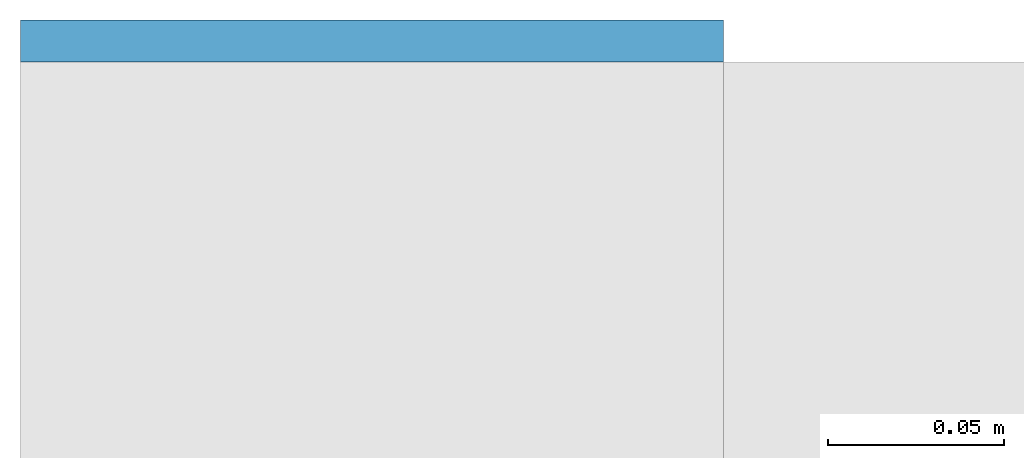
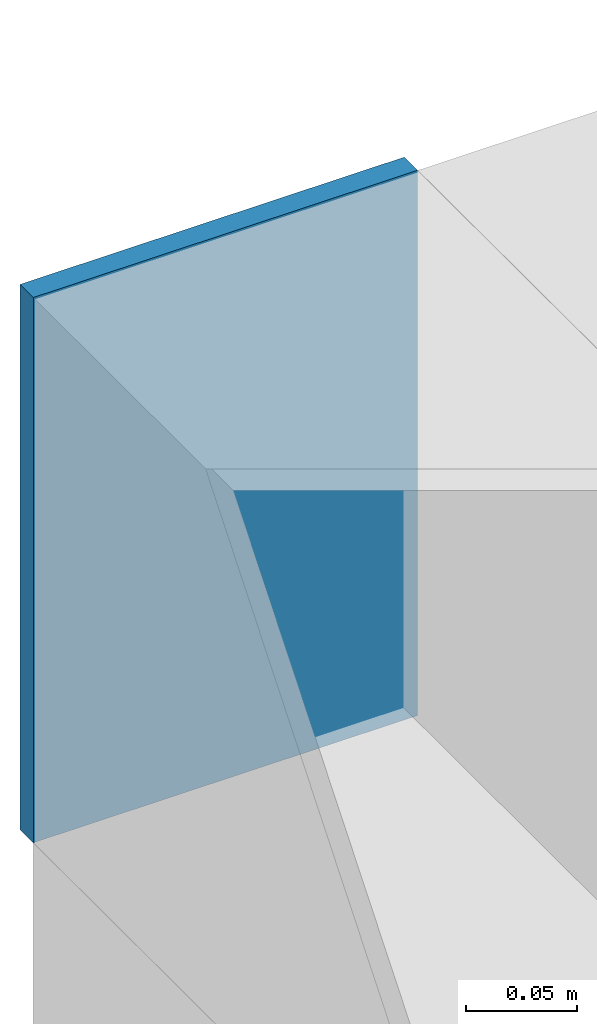
# One storey, part 229 of 646: 1 discrete accessory.
"""IFC4 building model written with IfcOpenShell, lengths in metres."""

from ifc_helpers import new_model, si_unit, direction, frame, origin, origin_2d, place, context, subcontext, project, spatial, rectangle, extrude, material, layer, layer_set, type_object, element, save


model = new_model("IFC4")

# Units and contexts
model_context = context("Model", 3, precision=1e-05, world=origin(), true_north=direction((0.0, 1.0)))
body_context = subcontext(model_context, "Body", "Model", "MODEL_VIEW")
ifc_project = project(units=[si_unit("LENGTHUNIT", "METRE"), si_unit("AREAUNIT", "SQUARE_METRE"), si_unit("VOLUMEUNIT", "CUBIC_METRE"), si_unit("PLANEANGLEUNIT", "RADIAN"), si_unit("MASSUNIT", "GRAM", prefix="KILO")], contexts=[model_context])

# Site, building, storey
site_placement = place(None, origin())
site = spatial("IfcSite", under=ifc_project, at=site_placement, CompositionType="ELEMENT")
building_placement = place(site_placement, origin())
building = spatial("IfcBuilding", under=site, at=building_placement, Name="Silverbay Arena", CompositionType="ELEMENT")
storey_placement = place(building_placement, frame((0.0, 0.0, 33.5)))
storey = spatial("IfcBuildingStorey", under=building, at=storey_placement, Name="L05", CompositionType="ELEMENT", Elevation=33.5)

# Discrete accessory
ifc_material = material(Name="Steel S355", Category="steel")
ifc_layer = layer(ifc_material, 0.011962890625)
ifc_layer_set = layer_set([ifc_layer], Name="Steel S355")
discrete_accessory_type = type_object("IfcDiscreteAccessoryType", Name="Purlin end plate 12", PredefinedType="USERDEFINED", material=ifc_layer_set)
discrete_accessory_placement = place(storey_placement, frame((49.5, 153.10009765625, 13.14990234375), z_axis=(0.0, 1.0, 0.0), x_axis=(-1.0, 0.0, 0.0)))
element("IfcDiscreteAccessory", 1, at=discrete_accessory_placement, inside=storey, type_object=discrete_accessory_type, Name="Purlin end plate", ObjectType="END PLATE", PredefinedType="USERDEFINED", context=body_context, shape_type="SweptSolid", body=[
    extrude(rectangle(XDim=0.199951171875, YDim=0.300048828125, at=origin_2d()), origin(), (0.0, 0.0, 1.0), 0.011962890625),
])

save(model, "model.ifc")
